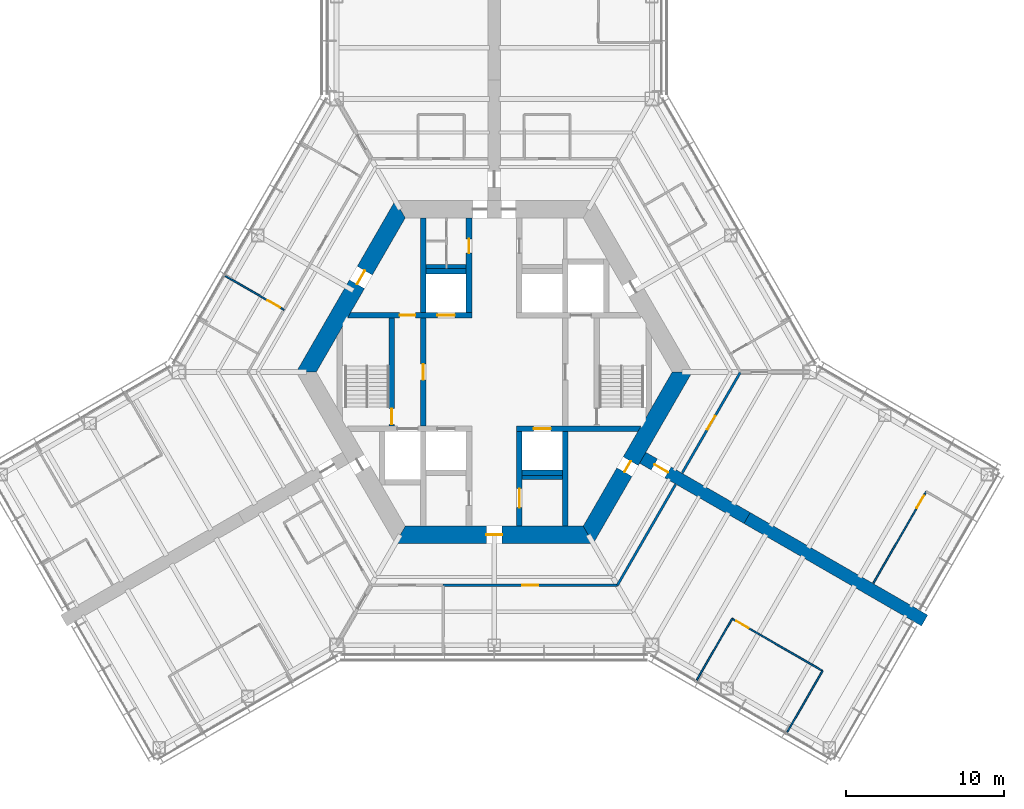
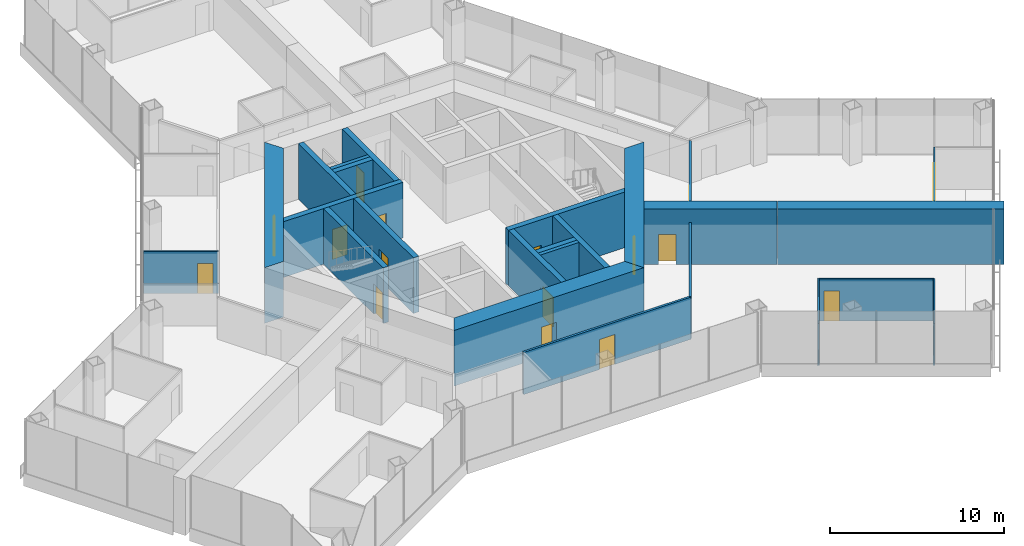
# One storey, part 13 of 18: 25 walls, 16 doors, 16 openings.
"""IFC4 building model written with IfcOpenShell, lengths in metres."""

from ifc_helpers import new_model, si_unit, direction, frame, frame_2d, origin, place, context, subcontext, project, spatial, polyline, rectangle, outline, extrude, material, layer, layer_set, type_object, element, fill, save


model = new_model("IFC4")

# Units and contexts
model_context = context("Model", 3, precision=1e-05, world=origin(), true_north=direction((0.0, 1.0)))
body_context = subcontext(model_context, "Body", "Model", "MODEL_VIEW")
ifc_project = project(units=[si_unit("LENGTHUNIT", "METRE"), si_unit("AREAUNIT", "SQUARE_METRE"), si_unit("VOLUMEUNIT", "CUBIC_METRE"), si_unit("PLANEANGLEUNIT", "RADIAN"), si_unit("MASSUNIT", "GRAM", prefix="KILO")], contexts=[model_context])

# Site, building, storey
site_placement = place(None, origin())
site = spatial("IfcSite", under=ifc_project, at=site_placement, CompositionType="ELEMENT")
building_placement = place(site_placement, origin())
building = spatial("IfcBuilding", under=site, at=building_placement, Name="Kasaneha Research Tower", CompositionType="ELEMENT")
storey_placement = place(building_placement, frame((0.0, 0.0, 80.699951171875)))
storey = spatial("IfcBuildingStorey", under=building, at=storey_placement, Name="L20", CompositionType="ELEMENT", Elevation=80.699951171875)

# Wall, openings, doors
ifc_material_1 = material(Name="Concrete Fc80", Category="concrete")
ifc_layer_1 = layer(ifc_material_1, 0.35009765625)
ifc_layer_set_1 = layer_set([ifc_layer_1], Name="Core internal wall 350 Fc80")
wall_type_1 = type_object("IfcWallType", Name="Core internal wall 350 Fc80", PredefinedType="SHEAR", material=ifc_layer_set_1)
wall_1_placement = place(storey_placement, frame((-9.208740234375, 3.60009765625, 0.0), z_axis=(0.0, 0.0, 1.0), x_axis=(1.0, 0.0, 0.0)))
wall_1 = element("IfcWall", 1, at=wall_1_placement, inside=storey, type_object=wall_type_1, Name="Core wall W1W L20", PredefinedType="SHEAR", context=body_context, shape_type="SweptSolid", body=[
    extrude(outline(polyline([(-0.10107421875, -0.175048828125), (3.208740234375, -0.175048828125), (4.208740234375, -0.175048828125), (5.608642578125, -0.175048828125), (6.708740234375, -0.175048828125), (7.78369140625, -0.175048828125), (7.78369140625, 0.175048828125), (6.708740234375, 0.175048828125), (5.608642578125, 0.175048828125), (4.208740234375, 0.175048828125), (3.208740234375, 0.175048828125), (0.10107421875, 0.175048828125), (-0.10107421875, -0.175048828125)])), origin(), (0.0, 0.0, 1.0), 3.900146484375),
])
opening_1_placement = place(wall_1_placement, frame((3.208740234375, 0.0, 0.0)))
opening_1 = element("IfcOpeningElement", 2, at=opening_1_placement, cuts=wall_1, Name="Opening L20-D12", PredefinedType="OPENING", context=body_context, shape_type="SweptSolid", body=[
    extrude(rectangle(XDim=1.0, YDim=2.10009765625, at=frame_2d((0.5, 1.050048828125))), frame((0.0, 0.18505859375, 0.0), z_axis=(0.0, -1.0, 0.0), x_axis=(1.0, 0.0, 0.0)), (0.0, 0.0, 1.0), 0.3701171875),
])
opening_2_placement = place(wall_1_placement, frame((5.608642578125, 0.0, 0.0)))
opening_2 = element("IfcOpeningElement", 3, at=opening_2_placement, cuts=wall_1, Name="Opening LD-LO1-L20", PredefinedType="OPENING", context=body_context, shape_type="SweptSolid", body=[
    extrude(rectangle(XDim=1.10009765625, YDim=2.10009765625, at=frame_2d((0.550048828125, 1.050048828125))), frame((0.0, 0.18505859375, 0.0), z_axis=(0.0, -1.0, 0.0), x_axis=(1.0, 0.0, 0.0)), (0.0, 0.0, 1.0), 0.3701171875),
])
ifc_material_2 = material(Name="Steel", Category="steel")
door_type_1 = type_object("IfcDoorType", Name="Lift landing door 1100x2100", OperationType="DOUBLE_DOOR_SLIDING", PredefinedType="DOOR", material=ifc_material_2)
door_1_placement = place(opening_2_placement, origin())
door_1 = element("IfcDoor", 4, at=door_1_placement, inside=storey, type_object=door_type_1, Name="Landing door LO1 LD-LO1-L20", OperationType="DOUBLE_DOOR_SLIDING", OverallHeight=2.10009765625, OverallWidth=1.10009765625, PredefinedType="DOOR", context=body_context, shape_type="SweptSolid", body=[
    extrude(rectangle(XDim=1.10009765625, YDim=2.10009765625, at=frame_2d((0.550048828125, 1.050048828125))), frame((0.0, 0.02490234375, 0.0), z_axis=(0.0, -1.0, 0.0), x_axis=(1.0, 0.0, 0.0)), (0.0, 0.0, 1.0), 0.050048828125),
])
fill(opening_2, door_1)
ifc_material_3 = material(Name="Steel", Category="steel")
door_type_2 = type_object("IfcDoorType", Name="Specified fire door FD60 1000x2100", OperationType="NOTDEFINED", PredefinedType="DOOR", material=ifc_material_3)
door_2_placement = place(opening_1_placement, origin())
door_2 = element("IfcDoor", 5, at=door_2_placement, inside=storey, type_object=door_type_2, Name="Vestibule to lobby door L20-D12", OperationType="SINGLE_SWING_RIGHT", OverallHeight=2.10009765625, OverallWidth=1.0, PredefinedType="DOOR", context=body_context, shape_type="SweptSolid", body=[
    extrude(rectangle(XDim=1.0, YDim=2.10009765625, at=frame_2d((0.5, 1.050048828125))), frame((0.0, 0.02490234375, 0.0), z_axis=(0.0, -1.0, 0.0), x_axis=(1.0, 0.0, 0.0)), (0.0, 0.0, 1.0), 0.050048828125),
])
fill(opening_1, door_2)

# Wall, opening, door
wall_2_placement = place(storey_placement, frame((1.425048828125, -3.60009765625, 0.0), z_axis=(0.0, 0.0, 1.0), x_axis=(1.0, 0.0, 0.0)))
wall_2 = element("IfcWall", 6, at=wall_2_placement, inside=storey, type_object=wall_type_1, Name="Core wall W2E L20", PredefinedType="SHEAR", context=body_context, shape_type="SweptSolid", body=[
    extrude(outline(polyline([(0.0, -0.175048828125), (1.074951171875, -0.175048828125), (2.175048828125, -0.175048828125), (7.6826171875, -0.175048828125), (7.884765625, 0.175048828125), (2.175048828125, 0.175048828125), (1.074951171875, 0.175048828125), (0.0, 0.175048828125), (0.0, -0.175048828125)])), origin(), (0.0, 0.0, 1.0), 3.900146484375),
])
opening_3_placement = place(wall_2_placement, frame((1.074951171875, 0.0, 0.0)))
opening_3 = element("IfcOpeningElement", 7, at=opening_3_placement, cuts=wall_2, Name="Opening LD-LO3-L20", PredefinedType="OPENING", context=body_context, shape_type="SweptSolid", body=[
    extrude(rectangle(XDim=1.10009765625, YDim=2.10009765625, at=frame_2d((0.550048828125, 1.050048828125))), frame((0.0, 0.18505859375, 0.0), z_axis=(0.0, -1.0, 0.0), x_axis=(1.0, 0.0, 0.0)), (0.0, 0.0, 1.0), 0.3701171875),
])
door_3_placement = place(opening_3_placement, origin())
door_3 = element("IfcDoor", 8, at=door_3_placement, inside=storey, type_object=door_type_1, Name="Landing door LO3 LD-LO3-L20", OperationType="DOUBLE_DOOR_SLIDING", OverallHeight=2.10009765625, OverallWidth=1.10009765625, PredefinedType="DOOR", context=body_context, shape_type="SweptSolid", body=[
    extrude(rectangle(XDim=1.10009765625, YDim=2.10009765625, at=frame_2d((0.550048828125, 1.050048828125))), frame((0.0, 0.02490234375, 0.0), z_axis=(0.0, -1.0, 0.0), x_axis=(1.0, 0.0, 0.0)), (0.0, 0.0, 1.0), 0.050048828125),
])
fill(opening_3, door_3)

wall_3_placement = place(storey_placement, frame((-1.60009765625, 3.77490234375, 0.0), z_axis=(0.0, 0.0, 1.0), x_axis=(0.0, 1.0, 0.0)))
wall_3 = element("IfcWall", 9, at=wall_3_placement, inside=storey, type_object=wall_type_1, Name="Core wall CNW L20", PredefinedType="SHEAR", context=body_context, shape_type="SweptSolid", body=[
    extrude(rectangle(XDim=6.0, YDim=0.35009765625, at=frame_2d((3.0, 0.0))), origin(), (0.0, 0.0, 1.0), 3.900146484375),
])
opening_4_placement = place(wall_3_placement, frame((3.77490234375, 0.0, 0.0)))
opening_4 = element("IfcOpeningElement", 10, at=opening_4_placement, cuts=wall_3, Name="Opening L20-D13", PredefinedType="OPENING", context=body_context, shape_type="SweptSolid", body=[
    extrude(rectangle(XDim=0.89990234375, YDim=2.10009765625, at=frame_2d((0.449951171875, 1.050048828125))), frame((0.0, 0.18505859375, 0.0), z_axis=(0.0, -1.0, 0.0), x_axis=(1.0, 0.0, 0.0)), (0.0, 0.0, 1.0), 0.3701171875),
])
ifc_material_4 = material(Name="Steel", Category="steel")
door_type_3 = type_object("IfcDoorType", Name="Toilet door FD20 900x2100", OperationType="NOTDEFINED", PredefinedType="DOOR", material=ifc_material_4)
door_4_placement = place(opening_4_placement, origin())
door_4 = element("IfcDoor", 11, at=door_4_placement, inside=storey, type_object=door_type_3, Name="Men's WC door L20-D13", OperationType="SINGLE_SWING_LEFT", OverallHeight=2.10009765625, OverallWidth=0.89990234375, PredefinedType="DOOR", context=body_context, shape_type="SweptSolid", body=[
    extrude(rectangle(XDim=0.89990234375, YDim=2.10009765625, at=frame_2d((0.449951171875, 1.050048828125))), frame((0.0, 0.02490234375, 0.0), z_axis=(0.0, -1.0, 0.0), x_axis=(1.0, 0.0, 0.0)), (0.0, 0.0, 1.0), 0.050048828125),
])
fill(opening_4, door_4)

wall_4_placement = place(storey_placement, frame((1.60009765625, -3.77490234375, 0.0), z_axis=(0.0, 0.0, 1.0), x_axis=(0.0, -1.0, 0.0)))
wall_4 = element("IfcWall", 12, at=wall_4_placement, inside=storey, type_object=wall_type_1, Name="Core wall CSE L20", PredefinedType="SHEAR", context=body_context, shape_type="SweptSolid", body=[
    extrude(rectangle(XDim=6.0, YDim=0.35009765625, at=frame_2d((3.0, 0.0))), origin(), (0.0, 0.0, 1.0), 3.900146484375),
])
opening_5_placement = place(wall_4_placement, frame((3.625, 0.0, 0.0)))
opening_5 = element("IfcOpeningElement", 13, at=opening_5_placement, cuts=wall_4, Name="Opening L20-D15", PredefinedType="OPENING", context=body_context, shape_type="SweptSolid", body=[
    extrude(rectangle(XDim=1.199951171875, YDim=2.10009765625, at=frame_2d((0.60009765625, 1.050048828125))), frame((0.0, 0.18505859375, 0.0), z_axis=(0.0, -1.0, 0.0), x_axis=(1.0, 0.0, 0.0)), (0.0, 0.0, 1.0), 0.3701171875),
])
ifc_material_5 = material(Name="Steel", Category="steel")
door_type_4 = type_object("IfcDoorType", Name="Accessible toilet sliding door FD20 1200x2100", OperationType="SLIDING_TO_LEFT", PredefinedType="DOOR", material=ifc_material_5)
door_5_placement = place(opening_5_placement, origin())
door_5 = element("IfcDoor", 14, at=door_5_placement, inside=storey, type_object=door_type_4, Name="Accessible WC door L20-D15", OperationType="SLIDING_TO_LEFT", OverallHeight=2.10009765625, OverallWidth=1.199951171875, PredefinedType="DOOR", context=body_context, shape_type="SweptSolid", body=[
    extrude(rectangle(XDim=1.199951171875, YDim=2.10009765625, at=frame_2d((0.60009765625, 1.050048828125))), frame((0.0, 0.02490234375, 0.0), z_axis=(0.0, -1.0, 0.0), x_axis=(1.0, 0.0, 0.0)), (0.0, 0.0, 1.0), 0.050048828125),
])
fill(opening_5, door_5)

wall_5_placement = place(storey_placement, frame((-4.5, -3.425048828125, 0.0), z_axis=(0.0, 0.0, 1.0), x_axis=(0.0, 1.0, 0.0)))
wall_5 = element("IfcWall", 15, at=wall_5_placement, inside=storey, type_object=wall_type_1, Name="Core wall LBW L20", PredefinedType="SHEAR", context=body_context, shape_type="SweptSolid", body=[
    extrude(rectangle(XDim=6.85009765625, YDim=0.35009765625, at=frame_2d((3.425048828125, 0.0))), origin(), (0.0, 0.0, 1.0), 3.900146484375),
])
opening_6_placement = place(wall_5_placement, frame((2.925048828125, 0.0, 0.0)))
opening_6 = element("IfcOpeningElement", 16, at=opening_6_placement, cuts=wall_5, Name="Opening L20-D09", PredefinedType="OPENING", context=body_context, shape_type="SweptSolid", body=[
    extrude(rectangle(XDim=1.0, YDim=2.10009765625, at=frame_2d((0.5, 1.050048828125))), frame((0.0, 0.18505859375, 0.0), z_axis=(0.0, -1.0, 0.0), x_axis=(1.0, 0.0, 0.0)), (0.0, 0.0, 1.0), 0.3701171875),
])
door_6_placement = place(opening_6_placement, origin())
door_6 = element("IfcDoor", 17, at=door_6_placement, inside=storey, type_object=door_type_2, Name="Lift lobby door west L20-D09", OperationType="SINGLE_SWING_LEFT", OverallHeight=2.10009765625, OverallWidth=1.0, PredefinedType="DOOR", context=body_context, shape_type="SweptSolid", body=[
    extrude(rectangle(XDim=1.0, YDim=2.10009765625, at=frame_2d((0.5, 1.050048828125))), frame((0.0, 0.02490234375, 0.0), z_axis=(0.0, -1.0, 0.0), x_axis=(1.0, 0.0, 0.0)), (0.0, 0.0, 1.0), 0.050048828125),
])
fill(opening_6, door_6)

wall_6_placement = place(storey_placement, frame((-6.5, -3.425048828125, 0.0), z_axis=(0.0, 0.0, 1.0), x_axis=(0.0, 1.0, 0.0)))
wall_6 = element("IfcWall", 18, at=wall_6_placement, inside=storey, type_object=wall_type_1, Name="Core wall ANW L20", PredefinedType="SHEAR", context=body_context, shape_type="SweptSolid", body=[
    extrude(rectangle(XDim=6.85009765625, YDim=0.35009765625, at=frame_2d((3.425048828125, 0.0))), origin(), (0.0, 0.0, 1.0), 3.900146484375),
])
opening_7_placement = place(wall_6_placement, frame((0.10009765625, 0.0, 0.0)))
opening_7 = element("IfcOpeningElement", 19, at=opening_7_placement, cuts=wall_6, Name="Opening L20-D11", PredefinedType="OPENING", context=body_context, shape_type="SweptSolid", body=[
    extrude(rectangle(XDim=1.0, YDim=2.10009765625, at=frame_2d((0.5, 1.050048828125))), frame((0.0, 0.18505859375, 0.0), z_axis=(0.0, -1.0, 0.0), x_axis=(1.0, 0.0, 0.0)), (0.0, 0.0, 1.0), 0.3701171875),
])
door_7_placement = place(opening_7_placement, origin())
door_7 = element("IfcDoor", 20, at=door_7_placement, inside=storey, type_object=door_type_2, Name="Stair 2 door L20-D11", OperationType="SINGLE_SWING_LEFT", OverallHeight=2.10009765625, OverallWidth=1.0, PredefinedType="DOOR", context=body_context, shape_type="SweptSolid", body=[
    extrude(rectangle(XDim=1.0, YDim=2.10009765625, at=frame_2d((0.5, 1.050048828125))), frame((0.0, 0.02490234375, 0.0), z_axis=(0.0, -1.0, 0.0), x_axis=(1.0, 0.0, 0.0)), (0.0, 0.0, 1.0), 0.050048828125),
])
fill(opening_7, door_7)

# Walls
for number, where, z_axis, x_axis, name in (
    (21, (-4.5, 3.77490234375, 0.0), (0.0, 0.0, 1.0), (0.0, 1.0, 0.0), "Core wall VNW L20"),
    (22, (4.5, -3.77490234375, 0.0), (0.0, 0.0, 1.0), (0.0, -1.0, 0.0), "Core wall SSE L20"),
):
    element("IfcWall", number, at=place(storey_placement, frame(where, z_axis=z_axis, x_axis=x_axis)), inside=storey, type_object=wall_type_1, Name=name, PredefinedType="SHEAR", context=body_context, shape_type="SweptSolid", body=[
        extrude(rectangle(XDim=6.0, YDim=0.35009765625, at=frame_2d((3.0, 0.0))), origin(), (0.0, 0.0, 1.0), 3.900146484375),
    ])
for number, where, z_axis, x_axis, name in (
    (23, (-4.324951171875, 6.39990234375, 0.0), (0.0, 0.0, 1.0), (1.0, 0.0, 0.0), "Core wall N1N L20"),
    (24, (1.77490234375, -6.39990234375, 0.0), (0.0, 0.0, 1.0), (1.0, 0.0, 0.0), "Core wall S3S L20"),
):
    element("IfcWall", number, at=place(storey_placement, frame(where, z_axis=z_axis, x_axis=x_axis)), inside=storey, type_object=wall_type_1, Name=name, PredefinedType="SHEAR", context=body_context, shape_type="SweptSolid", body=[
        extrude(rectangle(XDim=2.550048828125, YDim=0.35009765625, at=frame_2d((1.27490234375, 0.0))), origin(), (0.0, 0.0, 1.0), 3.900146484375),
    ])

# Wall, opening, door
ifc_material_6 = material(Name="Concrete Fc80", Category="concrete")
ifc_layer_2 = layer(ifc_material_6, 1.10009765625)
ifc_layer_set_2 = layer_set([ifc_layer_2], Name="Core wall 1100 Fc80")
wall_type_2 = type_object("IfcWallType", Name="Core wall 1100 Fc80", PredefinedType="SHEAR", material=ifc_layer_set_2)
wall_7_placement = place(storey_placement, frame((-5.961181640625, 10.324951171875, 0.0), z_axis=(0.0, 0.0, 1.0), x_axis=(-0.500004296715, -0.866022923061, 0.0)))
wall_7 = element("IfcWall", 25, at=wall_7_placement, inside=storey, type_object=wall_type_2, Name="Core wall 150 L20", PredefinedType="SHEAR", context=body_context, shape_type="SweptSolid", body=[
    extrude(outline(polyline([(-0.317626953125, -0.550048828125), (4.494140625, -0.550048828125), (5.494140625, -0.550048828125), (12.239990234375, -0.550048828125), (11.604736328125, 0.550048828125), (5.494140625, 0.550048828125), (4.494140625, 0.550048828125), (0.317626953125, 0.550048828125), (-0.317626953125, -0.550048828125)])), origin(), (0.0, 0.0, 1.0), 3.900146484375),
])
opening_8_placement = place(wall_7_placement, frame((4.494140625, 0.0, 0.0)))
opening_8 = element("IfcOpeningElement", 26, at=opening_8_placement, cuts=wall_7, Name="Opening L20-D07", PredefinedType="OPENING", context=body_context, shape_type="SweptSolid", body=[
    extrude(rectangle(XDim=1.0, YDim=2.10009765625, at=frame_2d((0.5, 1.050048828125))), frame((0.0, 0.56005859375, 0.0), z_axis=(0.0, -1.0, 0.0), x_axis=(1.0, 0.0, 0.0)), (0.0, 0.0, 1.0), 1.1201171875),
])
ifc_material_7 = material(Name="Steel", Category="steel")
door_type_5 = type_object("IfcDoorType", Name="Fire door FD20 1000x2100", OperationType="NOTDEFINED", PredefinedType="DOOR", material=ifc_material_7)
door_8_placement = place(opening_8_placement, origin())
door_8 = element("IfcDoor", 27, at=door_8_placement, inside=storey, type_object=door_type_5, Name="Vestibule door L20-D07", OperationType="SINGLE_SWING_LEFT", OverallHeight=2.10009765625, OverallWidth=1.0, PredefinedType="DOOR", context=body_context, shape_type="SweptSolid", body=[
    extrude(rectangle(XDim=1.0, YDim=2.10009765625, at=frame_2d((0.5, 1.050048828125))), frame((0.0, 0.02490234375, 0.0), z_axis=(0.0, -1.0, 0.0), x_axis=(1.0, 0.0, 0.0)), (0.0, 0.0, 1.0), 0.050048828125),
])
fill(opening_8, door_8)

wall_8_placement = place(storey_placement, frame((-5.961181640625, -10.324951171875, 0.0), z_axis=(0.0, 0.0, 1.0), x_axis=(1.0, 0.0, 0.0)))
wall_8 = element("IfcWall", 28, at=wall_8_placement, inside=storey, type_object=wall_type_2, Name="Core wall 270 L20", PredefinedType="SHEAR", context=body_context, shape_type="SweptSolid", body=[
    extrude(outline(polyline([(-0.317626953125, -0.550048828125), (5.461181640625, -0.550048828125), (6.461181640625, -0.550048828125), (12.239990234375, -0.550048828125), (11.604736328125, 0.550048828125), (6.461181640625, 0.550048828125), (5.461181640625, 0.550048828125), (0.317626953125, 0.550048828125), (-0.317626953125, -0.550048828125)])), origin(), (0.0, 0.0, 1.0), 3.900146484375),
])
opening_9_placement = place(wall_8_placement, frame((5.461181640625, 0.0, 0.0)))
opening_9 = element("IfcOpeningElement", 29, at=opening_9_placement, cuts=wall_8, Name="Opening L20-D03", PredefinedType="OPENING", context=body_context, shape_type="SweptSolid", body=[
    extrude(rectangle(XDim=1.0, YDim=2.10009765625, at=frame_2d((0.5, 1.050048828125))), frame((0.0, 0.56005859375, 0.0), z_axis=(0.0, -1.0, 0.0), x_axis=(1.0, 0.0, 0.0)), (0.0, 0.0, 1.0), 1.1201171875),
])
door_9_placement = place(opening_9_placement, origin())
door_9 = element("IfcDoor", 30, at=door_9_placement, inside=storey, type_object=door_type_5, Name="Core door south L20-D03", OperationType="SINGLE_SWING_LEFT", OverallHeight=2.10009765625, OverallWidth=1.0, PredefinedType="DOOR", context=body_context, shape_type="SweptSolid", body=[
    extrude(rectangle(XDim=1.0, YDim=2.10009765625, at=frame_2d((0.5, 1.050048828125))), frame((0.0, 0.02490234375, 0.0), z_axis=(0.0, -1.0, 0.0), x_axis=(1.0, 0.0, 0.0)), (0.0, 0.0, 1.0), 0.050048828125),
])
fill(opening_9, door_9)

wall_9_placement = place(storey_placement, frame((5.961181640625, -10.324951171875, 0.0), z_axis=(0.0, 0.0, 1.0), x_axis=(0.500004296715, 0.866022923061, 0.0)))
wall_9 = element("IfcWall", 31, at=wall_9_placement, inside=storey, type_object=wall_type_2, Name="Core wall 330 L20", PredefinedType="SHEAR", context=body_context, shape_type="SweptSolid", body=[
    extrude(outline(polyline([(-0.317626953125, -0.550048828125), (4.593994140625, -0.550048828125), (5.39404296875, -0.550048828125), (12.239990234375, -0.550048828125), (11.604736328125, 0.550048828125), (5.39404296875, 0.550048828125), (4.593994140625, 0.550048828125), (0.317626953125, 0.550048828125), (-0.317626953125, -0.550048828125)])), origin(), (0.0, 0.0, 1.0), 3.900146484375),
])
opening_10_placement = place(wall_9_placement, frame((4.593994140625, 0.0, 0.0)))
opening_10 = element("IfcOpeningElement", 32, at=opening_10_placement, cuts=wall_9, Name="Opening L20-D05", PredefinedType="OPENING", context=body_context, shape_type="SweptSolid", body=[
    extrude(rectangle(XDim=0.800048828125, YDim=2.10009765625, at=frame_2d((0.39990234375, 1.050048828125))), frame((0.0, 0.56005859375, 0.0), z_axis=(0.0, -1.0, 0.0), x_axis=(1.0, 0.0, 0.0)), (0.0, 0.0, 1.0), 1.1201171875),
])
ifc_material_8 = material(Name="Steel", Category="steel")
door_type_6 = type_object("IfcDoorType", Name="Riser access door FD60 800x2100", OperationType="NOTDEFINED", PredefinedType="DOOR", material=ifc_material_8)
door_10_placement = place(opening_10_placement, origin())
door_10 = element("IfcDoor", 33, at=door_10_placement, inside=storey, type_object=door_type_6, Name="Pipe riser door L20-D05", OperationType="SINGLE_SWING_LEFT", OverallHeight=2.10009765625, OverallWidth=0.800048828125, PredefinedType="DOOR", context=body_context, shape_type="SweptSolid", body=[
    extrude(rectangle(XDim=0.800048828125, YDim=2.10009765625, at=frame_2d((0.39990234375, 1.050048828125))), frame((0.0, 0.02490234375, 0.0), z_axis=(0.0, -1.0, 0.0), x_axis=(1.0, 0.0, 0.0)), (0.0, 0.0, 1.0), 0.050048828125),
])
fill(opening_10, door_10)

ifc_material_9 = material(Name="Gypsum board on steel studs, one layer each side", Category="steel")
ifc_layer_3 = layer(ifc_material_9, 0.10009765625)
ifc_layer_set_3 = layer_set([ifc_layer_3], Name="Office partition 100")
wall_type_3 = type_object("IfcWallType", Name="Office partition 100", PredefinedType="PARTITIONING", material=ifc_layer_set_3)
wall_10_placement = place(storey_placement, frame((-17.05615234375, 6.098876953125, 0.0), z_axis=(0.0, 0.0, 1.0), x_axis=(0.865505397626, -0.500899597405, 0.0)))
wall_10 = element("IfcWall", 34, at=wall_10_placement, inside=storey, type_object=wall_type_3, Name="Office partition FBN07 L20", PredefinedType="PARTITIONING", context=body_context, shape_type="SweptSolid", body=[
    extrude(rectangle(XDim=4.29541015625, YDim=0.10009765625, at=frame_2d((2.147705078125, 0.0))), origin(), (0.0, 0.0, 1.0), 2.949951171875),
])
opening_11_placement = place(wall_10_placement, frame((3.095458984375, 0.0, 0.0)))
opening_11 = element("IfcOpeningElement", 35, at=opening_11_placement, cuts=wall_10, Name="Opening L20-D37", PredefinedType="OPENING", context=body_context, shape_type="SweptSolid", body=[
    extrude(rectangle(XDim=0.89990234375, YDim=2.10009765625, at=frame_2d((0.449951171875, 1.050048828125))), frame((0.0, 0.06005859375, 0.0), z_axis=(0.0, -1.0, 0.0), x_axis=(1.0, 0.0, 0.0)), (0.0, 0.0, 1.0), 0.1201171875),
])
ifc_material_10 = material(Name="Timber veneer", Category="wood")
door_type_7 = type_object("IfcDoorType", Name="Office door 900x2100", OperationType="SINGLE_SWING_LEFT", PredefinedType="DOOR", material=ifc_material_10)
door_11_placement = place(opening_11_placement, origin())
door_11 = element("IfcDoor", 36, at=door_11_placement, inside=storey, type_object=door_type_7, Name="Interview room door L20-D37", OperationType="SINGLE_SWING_RIGHT", OverallHeight=2.10009765625, OverallWidth=0.89990234375, PredefinedType="DOOR", context=body_context, shape_type="SweptSolid", body=[
    extrude(rectangle(XDim=0.89990234375, YDim=2.10009765625, at=frame_2d((0.449951171875, 1.050048828125))), frame((0.0, 0.02490234375, 0.0), z_axis=(0.0, -1.0, 0.0), x_axis=(1.0, 0.0, 0.0)), (0.0, 0.0, 1.0), 0.050048828125),
])
fill(opening_11, door_11)

wall_11_placement = place(storey_placement, frame((24.04345703125, -13.396484375, 0.0), z_axis=(0.0, 0.0, 1.0), x_axis=(0.499999473313, 0.866025707867, 0.0)))
wall_11 = element("IfcWall", 37, at=wall_11_placement, inside=storey, type_object=wall_type_3, Name="Office partition FCE02 L20", PredefinedType="PARTITIONING", context=body_context, shape_type="SweptSolid", body=[
    extrude(rectangle(XDim=6.71337890625, YDim=0.10009765625, at=frame_2d((3.356689453125, 0.0))), origin(), (0.0, 0.0, 1.0), 2.949951171875),
])
opening_12_placement = place(wall_11_placement, frame((5.51318359375, 0.0, 0.0)))
opening_12 = element("IfcOpeningElement", 38, at=opening_12_placement, cuts=wall_11, Name="Opening L20-D45", PredefinedType="OPENING", context=body_context, shape_type="SweptSolid", body=[
    extrude(rectangle(XDim=0.89990234375, YDim=2.10009765625, at=frame_2d((0.449951171875, 1.050048828125))), frame((0.0, 0.06005859375, 0.0), z_axis=(0.0, -1.0, 0.0), x_axis=(1.0, 0.0, 0.0)), (0.0, 0.0, 1.0), 0.1201171875),
])
door_12_placement = place(opening_12_placement, origin())
door_12 = element("IfcDoor", 39, at=door_12_placement, inside=storey, type_object=door_type_7, Name="Manager's office door L20-D45", OperationType="SINGLE_SWING_RIGHT", OverallHeight=2.10009765625, OverallWidth=0.89990234375, PredefinedType="DOOR", context=body_context, shape_type="SweptSolid", body=[
    extrude(rectangle(XDim=0.89990234375, YDim=2.10009765625, at=frame_2d((0.449951171875, 1.050048828125))), frame((0.0, 0.02490234375, 0.0), z_axis=(0.0, -1.0, 0.0), x_axis=(1.0, 0.0, 0.0)), (0.0, 0.0, 1.0), 0.050048828125),
])
fill(opening_12, door_12)

# Wall
wall_12_placement = place(storey_placement, frame((12.84228515625, -19.538818359375, 0.0), z_axis=(0.0, 0.0, 1.0), x_axis=(0.499990139034, 0.866031096941, 0.0)))
element("IfcWall", 40, at=wall_12_placement, inside=storey, type_object=wall_type_3, Name="Office partition FCS04 L20", PredefinedType="PARTITIONING", context=body_context, shape_type="SweptSolid", body=[
    extrude(rectangle(XDim=4.5, YDim=0.10009765625, at=frame_2d((2.25, 0.0))), origin(), (0.0, 0.0, 1.0), 2.949951171875),
])

# Wall, opening, door
wall_13_placement = place(storey_placement, frame((15.09228515625, -15.6416015625, 0.0), z_axis=(0.0, 0.0, 1.0), x_axis=(0.866021597574, -0.500006592492, 0.0)))
wall_13 = element("IfcWall", 41, at=wall_13_placement, inside=storey, type_object=wall_type_3, Name="Office partition FCS05 L20", PredefinedType="PARTITIONING", context=body_context, shape_type="SweptSolid", body=[
    extrude(rectangle(XDim=6.61962890625, YDim=0.10009765625, at=frame_2d((3.309814453125, 0.0))), origin(), (0.0, 0.0, 1.0), 2.949951171875),
])
opening_13_placement = place(wall_13_placement, frame((0.300048828125, 0.0, 0.0)))
opening_13 = element("IfcOpeningElement", 42, at=opening_13_placement, cuts=wall_13, Name="Opening L20-D48", PredefinedType="OPENING", context=body_context, shape_type="SweptSolid", body=[
    extrude(rectangle(XDim=0.89990234375, YDim=2.10009765625, at=frame_2d((0.449951171875, 1.050048828125))), frame((0.0, 0.06005859375, 0.0), z_axis=(0.0, -1.0, 0.0), x_axis=(1.0, 0.0, 0.0)), (0.0, 0.0, 1.0), 0.1201171875),
])
door_13_placement = place(opening_13_placement, origin())
door_13 = element("IfcDoor", 43, at=door_13_placement, inside=storey, type_object=door_type_7, Name="Project room door L20-D48", OperationType="SINGLE_SWING_LEFT", OverallHeight=2.10009765625, OverallWidth=0.89990234375, PredefinedType="DOOR", context=body_context, shape_type="SweptSolid", body=[
    extrude(rectangle(XDim=0.89990234375, YDim=2.10009765625, at=frame_2d((0.449951171875, 1.050048828125))), frame((0.0, 0.02490234375, 0.0), z_axis=(0.0, -1.0, 0.0), x_axis=(1.0, 0.0, 0.0)), (0.0, 0.0, 1.0), 0.050048828125),
])
fill(opening_13, door_13)

# Wall
wall_14_placement = place(storey_placement, frame((20.824951171875, -18.951416015625, 0.0), z_axis=(0.0, 0.0, 1.0), x_axis=(-0.499989762656, -0.866031314237, 0.0)))
element("IfcWall", 44, at=wall_14_placement, inside=storey, type_object=wall_type_3, Name="Office partition FCS06 L20", PredefinedType="PARTITIONING", context=body_context, shape_type="SweptSolid", body=[
    extrude(rectangle(XDim=4.47998046875, YDim=0.10009765625, at=frame_2d((2.239990234375, 0.0))), origin(), (0.0, 0.0, 1.0), 2.949951171875),
])

# Wall, opening, door
ifc_material_11 = material(Name="Concrete Fc80", Category="concrete")
ifc_layer_4 = layer(ifc_material_11, 0.800048828125)
ifc_layer_set_4 = layer_set([ifc_layer_4], Name="Spine wall 800 Fc80")
wall_type_4 = type_object("IfcWallType", Name="Spine wall 800 Fc80", PredefinedType="SHEAR", material=ifc_layer_set_4)
wall_15_placement = place(storey_placement, frame((9.41796875, -5.4375, 0.0), z_axis=(0.0, 0.0, 1.0), x_axis=(0.866029782078, -0.499992416496, 0.0)))
wall_15 = element("IfcWall", 45, at=wall_15_placement, inside=storey, type_object=wall_type_4, Name="Spine wall C L20", PredefinedType="SHEAR", context=body_context, shape_type="SweptSolid", body=[
    extrude(rectangle(XDim=7.6455078125, YDim=0.800048828125, at=frame_2d((3.82275390625, 0.0))), origin(), (0.0, 0.0, 1.0), 3.900146484375),
])
opening_14_placement = place(wall_15_placement, frame((0.85009765625, 0.0, 0.0)))
opening_14 = element("IfcOpeningElement", 46, at=opening_14_placement, cuts=wall_15, Name="Opening L20-D19", PredefinedType="OPENING", context=body_context, shape_type="SweptSolid", body=[
    extrude(rectangle(XDim=1.0, YDim=2.10009765625, at=frame_2d((0.5, 1.050048828125))), frame((0.0, 0.41015625, 0.0), z_axis=(0.0, -1.0, 0.0), x_axis=(1.0, 0.0, 0.0)), (0.0, 0.0, 1.0), 0.820068359375),
])
door_14_placement = place(opening_14_placement, origin())
door_14 = element("IfcDoor", 47, at=door_14_placement, inside=storey, type_object=door_type_2, Name="Spine doorway C L20-D19", OperationType="SINGLE_SWING_LEFT", OverallHeight=2.10009765625, OverallWidth=1.0, PredefinedType="DOOR", context=body_context, shape_type="SweptSolid", body=[
    extrude(rectangle(XDim=1.0, YDim=2.10009765625, at=frame_2d((0.5, 1.050048828125))), frame((0.0, 0.02490234375, 0.0), z_axis=(0.0, -1.0, 0.0), x_axis=(1.0, 0.0, 0.0)), (0.0, 0.0, 1.0), 0.050048828125),
])
fill(opening_14, door_14)

# Wall
wall_16_placement = place(storey_placement, frame((16.039306640625, -9.26025390625, 0.0), z_axis=(0.0, 0.0, 1.0), x_axis=(0.866024837091, -0.50000098154, 0.0)))
element("IfcWall", 48, at=wall_16_placement, inside=storey, type_object=wall_type_4, Name="Spine wall C wing L20", PredefinedType="SHEAR", context=body_context, shape_type="SweptSolid", body=[
    extrude(rectangle(XDim=13.0, YDim=0.800048828125, at=frame_2d((6.5, 0.0))), origin(), (0.0, 0.0, 1.0), 3.900146484375),
])

# Wall, opening, door
ifc_material_12 = material(Name="Gypsum board on steel studs, two layers each side", Category="steel")
ifc_layer_5 = layer(ifc_material_12, 0.14990234375)
ifc_layer_set_5 = layer_set([ifc_layer_5], Name="Suite partition 150")
wall_type_5 = type_object("IfcWallType", Name="Suite partition 150", PredefinedType="PARTITIONING", material=ifc_layer_set_5)
wall_17_placement = place(storey_placement, frame((15.605712890625, -0.02001953125, 0.0), z_axis=(0.0, 0.0, 1.0), x_axis=(-0.499989298045, -0.866031582473, 0.0)))
wall_17 = element("IfcWall", 49, at=wall_17_placement, inside=storey, type_object=wall_type_5, Name="Suite partition FCE01 L20", PredefinedType="PARTITIONING", context=body_context, shape_type="SweptSolid", body=[
    extrude(rectangle(XDim=7.365478515625, YDim=0.14990234375, at=frame_2d((3.6826171875, 0.0))), origin(), (0.0, 0.0, 1.0), 2.949951171875),
])
opening_15_placement = place(wall_17_placement, frame((3.182861328125, 0.0, 0.0)))
opening_15 = element("IfcOpeningElement", 50, at=opening_15_placement, cuts=wall_17, Name="Opening L20-D44", PredefinedType="OPENING", context=body_context, shape_type="SweptSolid", body=[
    extrude(rectangle(XDim=1.0, YDim=2.10009765625, at=frame_2d((0.5, 1.050048828125))), frame((0.0, 0.0849609375, 0.0), z_axis=(0.0, -1.0, 0.0), x_axis=(1.0, 0.0, 0.0)), (0.0, 0.0, 1.0), 0.169921875),
])
ifc_material_13 = material(Name="Steel", Category="steel")
door_type_8 = type_object("IfcDoorType", Name="Suite entrance door FD60 1000x2100", OperationType="NOTDEFINED", PredefinedType="DOOR", material=ifc_material_13)
door_15_placement = place(opening_15_placement, origin())
door_15 = element("IfcDoor", 51, at=door_15_placement, inside=storey, type_object=door_type_8, Name="Suite entrance door L20-D44", OperationType="SINGLE_SWING_RIGHT", OverallHeight=2.10009765625, OverallWidth=1.0, PredefinedType="DOOR", context=body_context, shape_type="SweptSolid", body=[
    extrude(rectangle(XDim=1.0, YDim=2.10009765625, at=frame_2d((0.5, 1.050048828125))), frame((0.0, 0.02490234375, 0.0), z_axis=(0.0, -1.0, 0.0), x_axis=(1.0, 0.0, 0.0)), (0.0, 0.0, 1.0), 0.050048828125),
])
fill(opening_15, door_15)

wall_18_placement = place(storey_placement, frame((7.80859375, -13.52490234375, 0.0), z_axis=(0.0, 0.0, 1.0), x_axis=(-1.0, 0.0, 0.0)))
wall_18 = element("IfcWall", 52, at=wall_18_placement, inside=storey, type_object=wall_type_5, Name="Suite partition FCS01 L20", PredefinedType="PARTITIONING", context=body_context, shape_type="SweptSolid", body=[
    extrude(rectangle(XDim=11.06005859375, YDim=0.14990234375, at=frame_2d((5.530029296875, 0.0))), origin(), (0.0, 0.0, 1.0), 2.949951171875),
])
opening_16_placement = place(wall_18_placement, frame((5.030029296875, 0.0, 0.0)))
opening_16 = element("IfcOpeningElement", 53, at=opening_16_placement, cuts=wall_18, Name="Opening L20-D46", PredefinedType="OPENING", context=body_context, shape_type="SweptSolid", body=[
    extrude(rectangle(XDim=1.0, YDim=2.10009765625, at=frame_2d((0.5, 1.050048828125))), frame((0.0, 0.0849609375, 0.0), z_axis=(0.0, -1.0, 0.0), x_axis=(1.0, 0.0, 0.0)), (0.0, 0.0, 1.0), 0.169921875),
])
door_16_placement = place(opening_16_placement, origin())
door_16 = element("IfcDoor", 54, at=door_16_placement, inside=storey, type_object=door_type_8, Name="Suite entrance door L20-D46", OperationType="SINGLE_SWING_RIGHT", OverallHeight=2.10009765625, OverallWidth=1.0, PredefinedType="DOOR", context=body_context, shape_type="SweptSolid", body=[
    extrude(rectangle(XDim=1.0, YDim=2.10009765625, at=frame_2d((0.5, 1.050048828125))), frame((0.0, 0.02490234375, 0.0), z_axis=(0.0, -1.0, 0.0), x_axis=(1.0, 0.0, 0.0)), (0.0, 0.0, 1.0), 0.050048828125),
])
fill(opening_16, door_16)

# Walls
wall_19_placement = place(storey_placement, frame((11.5029296875, -7.126220703125, 0.0), z_axis=(0.0, 0.0, 1.0), x_axis=(-0.500005620463, -0.866022158784, 0.0)))
element("IfcWall", 55, at=wall_19_placement, inside=storey, type_object=wall_type_5, Name="Suite partition FCS02 L20", PredefinedType="PARTITIONING", context=body_context, shape_type="SweptSolid", body=[
    extrude(rectangle(XDim=7.388671875, YDim=0.14990234375, at=frame_2d((3.6943359375, 0.0))), origin(), (0.0, 0.0, 1.0), 2.949951171875),
])
ifc_material_14 = material(Name="Concrete block lining", Category="concrete")
ifc_layer_6 = layer(ifc_material_14, 0.25)
ifc_layer_set_6 = layer_set([ifc_layer_6], Name="WC plumbing wall 250")
wall_type_6 = type_object("IfcWallType", Name="WC plumbing wall 250", PredefinedType="PLUMBINGWALL", material=ifc_layer_set_6)
for number, where, z_axis, x_axis, name in (
    (56, (-4.324951171875, 6.699951171875, 0.0), (0.0, 0.0, 1.0), (1.0, 0.0, 0.0), "WC plumbing wall M L20"),
    (57, (1.77490234375, -6.699951171875, 0.0), (0.0, 0.0, 1.0), (1.0, 0.0, 0.0), "WC plumbing wall A L20"),
):
    element("IfcWall", number, at=place(storey_placement, frame(where, z_axis=z_axis, x_axis=x_axis)), inside=storey, type_object=wall_type_6, Name=name, PredefinedType="PLUMBINGWALL", context=body_context, shape_type="SweptSolid", body=[
        extrude(rectangle(XDim=2.550048828125, YDim=0.25, at=frame_2d((1.27490234375, 0.0))), origin(), (0.0, 0.0, 1.0), 3.900146484375),
    ])

save(model, "model.ifc")
